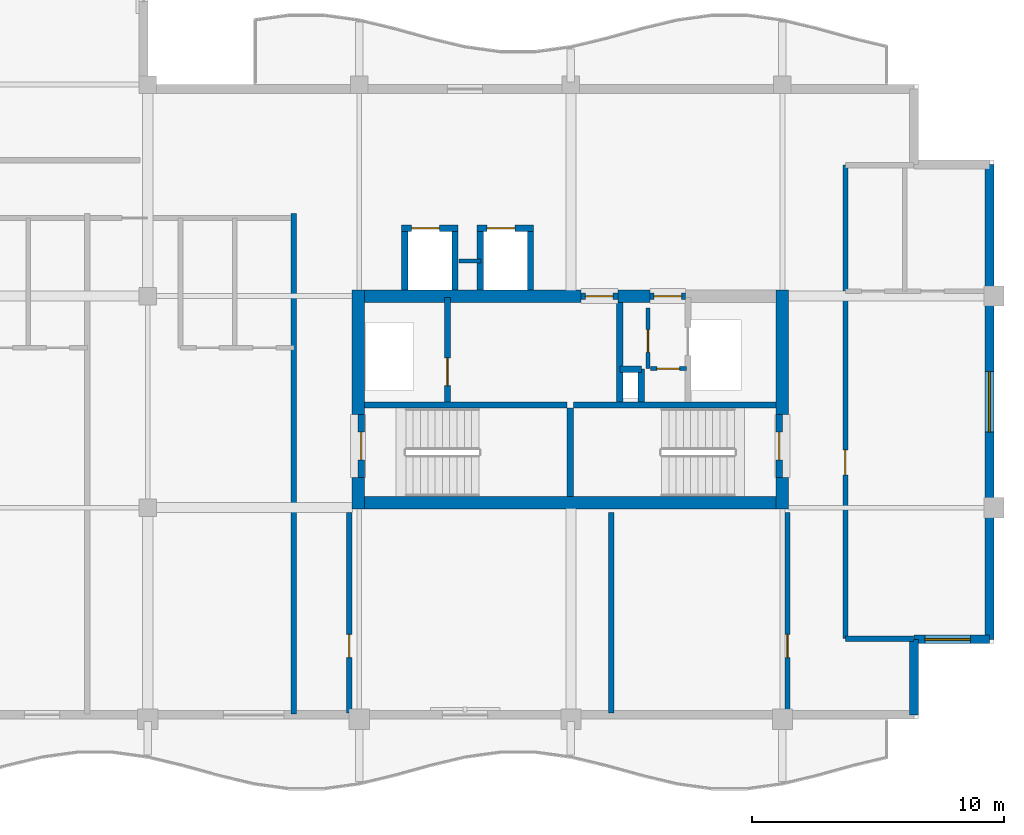
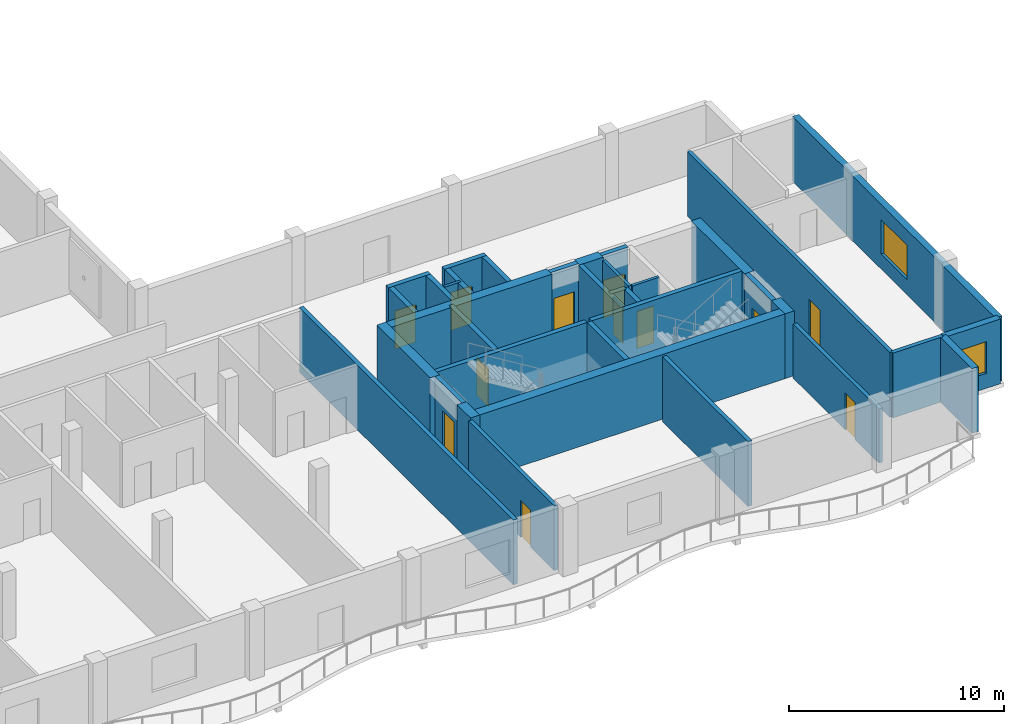
# One storey, part 4 of 11: 36 walls, 12 doors, 2 windows, 14 openings.
"""IFC4 building model written with IfcOpenShell, lengths in metres."""

from ifc_helpers import new_model, si_unit, direction, frame, frame_2d, origin, place, context, subcontext, project, spatial, rectangle, extrude, material, layer, layer_set, type_object, element, fill, save


model = new_model("IFC4")

# Units and contexts
model_context = context("Model", 3, precision=1e-05, world=origin(), true_north=direction((0.0, 1.0)))
body_context = subcontext(model_context, "Body", "Model", "MODEL_VIEW")
ifc_project = project(units=[si_unit("LENGTHUNIT", "METRE"), si_unit("AREAUNIT", "SQUARE_METRE"), si_unit("VOLUMEUNIT", "CUBIC_METRE"), si_unit("PLANEANGLEUNIT", "RADIAN"), si_unit("MASSUNIT", "GRAM", prefix="KILO")], contexts=[model_context])

# Site, building, storey
site_placement = place(None, origin())
site = spatial("IfcSite", under=ifc_project, at=site_placement, CompositionType="ELEMENT")
building_placement = place(site_placement, origin())
building = spatial("IfcBuilding", under=site, at=building_placement, Name="Koriwani Terraces Tower", CompositionType="ELEMENT")
storey_placement = place(building_placement, frame((0.0, 0.0, 320.300048828125)))
storey = spatial("IfcBuildingStorey", under=building, at=storey_placement, Name="L79", CompositionType="ELEMENT", Elevation=320.300048828125)

# Walls
ifc_material_1 = material(Name="Concrete C50/60", Category="concrete")
ifc_layer_1 = layer(ifc_material_1, 0.5, Name="Concrete C50/60")
ifc_layer_set_1 = layer_set([ifc_layer_1], Name="Concrete C50/60")
wall_type_1 = type_object("IfcWallType", Name="WALL_CORE_RC_500", PredefinedType="SHEAR", material=ifc_layer_set_1)
wall_1_placement = place(storey_placement, frame((41.949951171875, 16.75, 0.0), z_axis=(0.0, 0.0, 1.0), x_axis=(0.0, 1.0, 0.0)))
element("IfcWall", 1, at=wall_1_placement, inside=storey, type_object=wall_type_1, Name="L79 East Split Core Shear Wall W1", PredefinedType="SHEAR", context=body_context, shape_type="SweptSolid", body=[
    extrude(rectangle(XDim=1.25, YDim=0.5, at=frame_2d((0.625, 0.0))), origin(), (0.0, 0.0, 1.0), 3.669921875),
])
wall_2_placement = place(storey_placement, frame((41.949951171875, 20.5, 0.0), z_axis=(0.0, 0.0, 1.0), x_axis=(0.0, 1.0, 0.0)))
element("IfcWall", 2, at=wall_2_placement, inside=storey, type_object=wall_type_1, Name="L79 East Split Core Shear Wall W2", PredefinedType="SHEAR", context=body_context, shape_type="SweptSolid", body=[
    extrude(rectangle(XDim=4.949951171875, YDim=0.5, at=frame_2d((2.47509765625, 0.0))), origin(), (0.0, 0.0, 1.0), 3.669921875),
])
wall_3_placement = place(storey_placement, frame((58.800048828125, 16.75, 0.0), z_axis=(0.0, 0.0, 1.0), x_axis=(0.0, 1.0, 0.0)))
element("IfcWall", 3, at=wall_3_placement, inside=storey, type_object=wall_type_1, Name="L79 East Split Core Shear Wall E1", PredefinedType="SHEAR", context=body_context, shape_type="SweptSolid", body=[
    extrude(rectangle(XDim=1.25, YDim=0.5, at=frame_2d((0.625, 0.0))), origin(), (0.0, 0.0, 1.0), 3.669921875),
])
wall_4_placement = place(storey_placement, frame((58.800048828125, 20.5, 0.0), z_axis=(0.0, 0.0, 1.0), x_axis=(0.0, 1.0, 0.0)))
element("IfcWall", 4, at=wall_4_placement, inside=storey, type_object=wall_type_1, Name="L79 East Split Core Shear Wall E2", PredefinedType="SHEAR", context=body_context, shape_type="SweptSolid", body=[
    extrude(rectangle(XDim=4.949951171875, YDim=0.5, at=frame_2d((2.47509765625, 0.0))), origin(), (0.0, 0.0, 1.0), 3.669921875),
])
wall_5_placement = place(storey_placement, frame((42.199951171875, 17.0, 0.0), z_axis=(0.0, 0.0, 1.0), x_axis=(1.0, 0.0, 0.0)))
element("IfcWall", 5, at=wall_5_placement, inside=storey, type_object=wall_type_1, Name="L79 East Split Core Shear Wall S1", PredefinedType="SHEAR", context=body_context, shape_type="SweptSolid", body=[
    extrude(rectangle(XDim=16.35009765625, YDim=0.5, at=frame_2d((8.175048828125, 0.0))), origin(), (0.0, 0.0, 1.0), 3.669921875),
])
wall_6_placement = place(storey_placement, frame((42.199951171875, 25.199951171875, 0.0), z_axis=(0.0, 0.0, 1.0), x_axis=(1.0, 0.0, 0.0)))
element("IfcWall", 6, at=wall_6_placement, inside=storey, type_object=wall_type_1, Name="L79 East Split Core Shear Wall N1", PredefinedType="SHEAR", context=body_context, shape_type="SweptSolid", body=[
    extrude(rectangle(XDim=8.60009765625, YDim=0.5, at=frame_2d((4.300048828125, 0.0))), origin(), (0.0, 0.0, 1.0), 3.669921875),
])
wall_7_placement = place(storey_placement, frame((52.280029296875, 25.199951171875, 0.0), z_axis=(0.0, 0.0, 1.0), x_axis=(1.0, 0.0, 0.0)))
element("IfcWall", 7, at=wall_7_placement, inside=storey, type_object=wall_type_1, Name="L79 East Split Core Shear Wall N2", PredefinedType="SHEAR", context=body_context, shape_type="SweptSolid", body=[
    extrude(rectangle(XDim=1.27001953125, YDim=0.5, at=frame_2d((0.635009765625, 0.0))), origin(), (0.0, 0.0, 1.0), 3.669921875),
])

# Wall, opening, door
ifc_material_2 = material(Name="Autoclaved Cellular Concrete Blockwork", Category="masonry")
ifc_layer_2 = layer(ifc_material_2, 0.199951171875, Name="Autoclaved Cellular Concrete Blockwork")
ifc_layer_set_2 = layer_set([ifc_layer_2], Name="Autoclaved Cellular Concrete Blockwork")
wall_type_2 = type_object("IfcWallType", Name="WALL_CORRIDOR_200", PredefinedType="PARTITIONING", material=ifc_layer_set_2)
wall_8_placement = place(storey_placement, frame((41.60009765625, 8.64990234375, 0.0), z_axis=(0.0, 0.0, 1.0), x_axis=(0.0, 1.0, 0.0)))
wall_8 = element("IfcWall", 8, at=wall_8_placement, inside=storey, type_object=wall_type_2, Name="L79 Interior Wall WRZ4-EW-L79", PredefinedType="PARTITIONING", context=body_context, shape_type="SweptSolid", body=[
    extrude(rectangle(XDim=7.9501953125, YDim=0.199951171875, at=frame_2d((3.97509765625, 0.0))), origin(), (0.0, 0.0, 1.0), 3.669921875),
])
opening_1_placement = place(wall_8_placement, frame((2.199951171875, 0.0, 0.0)))
opening_1 = element("IfcOpeningElement", 9, at=opening_1_placement, cuts=wall_8, Name="Opening D-06", PredefinedType="OPENING", context=body_context, shape_type="SweptSolid", body=[
    extrude(rectangle(XDim=0.919921875, YDim=2.10009765625, at=frame_2d((0.4599609375, 1.050048828125))), frame((0.0, 0.10986328125, 0.0), z_axis=(0.0, -1.0, 0.0), x_axis=(1.0, 0.0, 0.0)), (0.0, 0.0, 1.0), 0.219970703125),
])
ifc_material_3 = material(Name="Architectural Oak Fire Door", Category="wood")
door_type_1 = type_object("IfcDoorType", Name="DOOR_ROOM_INT_920X2100", OperationType="NOTDEFINED", PredefinedType="DOOR", material=ifc_material_3)
door_1_placement = place(opening_1_placement, origin())
door_1 = element("IfcDoor", 10, at=door_1_placement, inside=storey, type_object=door_type_1, Name="L79 Resident Library Study Door", OperationType="SINGLE_SWING_RIGHT", OverallHeight=2.10009765625, OverallWidth=0.919921875, PredefinedType="DOOR", context=body_context, shape_type="SweptSolid", body=[
    extrude(rectangle(XDim=0.919921875, YDim=2.10009765625, at=frame_2d((0.4599609375, 1.050048828125))), frame((0.0, 0.02490234375, 0.0), z_axis=(0.0, -1.0, 0.0), x_axis=(1.0, 0.0, 0.0)), (0.0, 0.0, 1.0), 0.050048828125),
])
fill(opening_1, door_1)

wall_9_placement = place(storey_placement, frame((59.0, 8.64990234375, 0.0), z_axis=(0.0, 0.0, 1.0), x_axis=(0.0, 1.0, 0.0)))
wall_9 = element("IfcWall", 11, at=wall_9_placement, inside=storey, type_object=wall_type_2, Name="L79 Interior Wall WRZ4-EE-L79", PredefinedType="PARTITIONING", context=body_context, shape_type="SweptSolid", body=[
    extrude(rectangle(XDim=7.9501953125, YDim=0.199951171875, at=frame_2d((3.97509765625, 0.0))), origin(), (0.0, 0.0, 1.0), 3.070068359375),
])
opening_2_placement = place(wall_9_placement, frame((2.199951171875, 0.0, 0.0)))
opening_2 = element("IfcOpeningElement", 12, at=opening_2_placement, cuts=wall_9, Name="Opening D-06", PredefinedType="OPENING", context=body_context, shape_type="SweptSolid", body=[
    extrude(rectangle(XDim=0.919921875, YDim=2.10009765625, at=frame_2d((0.4599609375, 1.050048828125))), frame((0.0, 0.10986328125, 0.0), z_axis=(0.0, -1.0, 0.0), x_axis=(1.0, 0.0, 0.0)), (0.0, 0.0, 1.0), 0.219970703125),
])
door_2_placement = place(opening_2_placement, origin())
door_2 = element("IfcDoor", 13, at=door_2_placement, inside=storey, type_object=door_type_1, Name="L79 Resident Laundry Room Door", OperationType="SINGLE_SWING_LEFT", OverallHeight=2.10009765625, OverallWidth=0.919921875, PredefinedType="DOOR", context=body_context, shape_type="SweptSolid", body=[
    extrude(rectangle(XDim=0.919921875, YDim=2.10009765625, at=frame_2d((0.4599609375, 1.050048828125))), frame((0.0, 0.02490234375, 0.0), z_axis=(0.0, -1.0, 0.0), x_axis=(1.0, 0.0, 0.0)), (0.0, 0.0, 1.0), 0.050048828125),
])
fill(opening_2, door_2)

wall_10_placement = place(storey_placement, frame((61.300048828125, 11.60009765625, 0.0), z_axis=(0.0, 0.0, 1.0), x_axis=(0.0, 1.0, 0.0)))
wall_10 = element("IfcWall", 14, at=wall_10_placement, inside=storey, type_object=wall_type_2, Name="L79 Interior Wall WET-W-L79", PredefinedType="PARTITIONING", context=body_context, shape_type="SweptSolid", body=[
    extrude(rectangle(XDim=18.7998046875, YDim=0.199951171875, at=frame_2d((9.39990234375, 0.0))), origin(), (0.0, 0.0, 1.0), 3.669921875),
])
opening_3_placement = place(wall_10_placement, frame((6.5, 0.0, 0.0)))
opening_3 = element("IfcOpeningElement", 15, at=opening_3_placement, cuts=wall_10, Name="Opening D-05", PredefinedType="OPENING", context=body_context, shape_type="SweptSolid", body=[
    extrude(rectangle(XDim=1.0, YDim=2.14990234375, at=frame_2d((0.5, 1.074951171875))), frame((0.0, 0.10986328125, 0.0), z_axis=(0.0, -1.0, 0.0), x_axis=(1.0, 0.0, 0.0)), (0.0, 0.0, 1.0), 0.219970703125),
])
door_type_2 = type_object("IfcDoorType", Name="DOOR_SUITE_ENTRY_1000X2150", OperationType="NOTDEFINED", PredefinedType="DOOR", material=ifc_material_3)
door_3_placement = place(opening_3_placement, origin())
door_3 = element("IfcDoor", 16, at=door_3_placement, inside=storey, type_object=door_type_2, Name="Apartment 79ET Entrance Door", OperationType="SINGLE_SWING_RIGHT", OverallHeight=2.14990234375, OverallWidth=1.0, PredefinedType="DOOR", context=body_context, shape_type="SweptSolid", body=[
    extrude(rectangle(XDim=1.0, YDim=2.14990234375, at=frame_2d((0.5, 1.074951171875))), frame((0.0, 0.02490234375, 0.0), z_axis=(0.0, -1.0, 0.0), x_axis=(1.0, 0.0, 0.0)), (0.0, 0.0, 1.0), 0.050048828125),
])
fill(opening_3, door_3)

# Walls
ifc_layer_3 = layer(ifc_material_2, 0.219970703125, Name="Autoclaved Cellular Concrete Blockwork")
ifc_layer_set_3 = layer_set([ifc_layer_3], Name="Autoclaved Cellular Concrete Blockwork")
wall_type_3 = type_object("IfcWallType", Name="WALL_DEMISING_220", PredefinedType="PARTITIONING", material=ifc_layer_set_3)
wall_11_placement = place(storey_placement, frame((52.0, 8.64990234375, 0.0), z_axis=(0.0, 0.0, 1.0), x_axis=(0.0, 1.0, 0.0)))
element("IfcWall", 17, at=wall_11_placement, inside=storey, type_object=wall_type_3, Name="L79 Interior Wall WRZ4-EM-L79", PredefinedType="PARTITIONING", context=body_context, shape_type="SweptSolid", body=[
    extrude(rectangle(XDim=7.9501953125, YDim=0.219970703125, at=frame_2d((3.97509765625, 0.0))), origin(), (0.0, 0.0, 1.0), 3.669921875),
])
wall_12_placement = place(storey_placement, frame((39.39990234375, 8.60009765625, 0.0), z_axis=(0.0, 0.0, 1.0), x_axis=(0.0, 1.0, 0.0)))
element("IfcWall", 18, at=wall_12_placement, inside=storey, type_object=wall_type_3, Name="L79 Interior Wall WRDEME-L79-SW", PredefinedType="PARTITIONING", context=body_context, shape_type="SweptSolid", body=[
    extrude(rectangle(XDim=19.8798828125, YDim=0.219970703125, at=frame_2d((9.93994140625, 0.0))), origin(), (0.0, 0.0, 1.0), 3.669921875),
])
wall_13_placement = place(storey_placement, frame((61.300048828125, 11.60009765625, 0.0), z_axis=(0.0, 0.0, 1.0), x_axis=(1.0, 0.0, 0.0)))
element("IfcWall", 19, at=wall_13_placement, inside=storey, type_object=wall_type_3, Name="L79 Interior Wall WET-S-L79", PredefinedType="PARTITIONING", context=body_context, shape_type="SweptSolid", body=[
    extrude(rectangle(XDim=2.699951171875, YDim=0.219970703125, at=frame_2d((1.35009765625, 0.0))), origin(), (0.0, 0.0, 1.0), 3.669921875),
])

# Wall, opening, window
ifc_layer_4 = layer(ifc_material_1, 0.35009765625, Name="Concrete C50/60")
ifc_layer_set_4 = layer_set([ifc_layer_4], Name="Concrete C50/60")
wall_type_4 = type_object("IfcWallType", Name="WALL_EXT_BRUTALIST_350", PredefinedType="STANDARD", material=ifc_layer_set_4)
wall_14_placement = place(storey_placement, frame((67.02490234375, 30.425048828125, 0.0), z_axis=(0.0, 0.0, 1.0), x_axis=(0.0, -1.0, 0.0)))
wall_14 = element("IfcWall", 20, at=wall_14_placement, inside=storey, type_object=wall_type_4, Name="L79 Fair-Faced Brutalist Exterior Wall (E_TIP)", PredefinedType="STANDARD", context=body_context, shape_type="SweptSolid", body=[
    extrude(rectangle(XDim=18.85009765625, YDim=0.35009765625, at=frame_2d((9.425048828125, 0.0))), origin(), (0.0, 0.0, 1.0), 3.669921875),
])
opening_4_placement = place(wall_14_placement, frame((8.22509765625, 0.0, 0.85009765625)))
opening_4 = element("IfcOpeningElement", 21, at=opening_4_placement, cuts=wall_14, Name="Opening W-03", PredefinedType="OPENING", context=body_context, shape_type="SweptSolid", body=[
    extrude(rectangle(XDim=2.39990234375, YDim=1.949951171875, at=frame_2d((1.199951171875, 0.97509765625))), frame((0.0, 0.18505859375, 0.0), z_axis=(0.0, -1.0, 0.0), x_axis=(1.0, 0.0, 0.0)), (0.0, 0.0, 1.0), 0.3701171875),
])
ifc_material_4 = material(Name="Tempered Laminated Low-E Glass", Category="glass")
window_type_1 = type_object("IfcWindowType", Name="WIN_RES_LIVING_2400X1950", PartitioningType="DOUBLE_PANEL_VERTICAL", PredefinedType="WINDOW", material=ifc_material_4)
window_1_placement = place(opening_4_placement, origin())
window_1 = element("IfcWindow", 22, at=window_1_placement, inside=storey, type_object=window_type_1, Name="L79 Exterior Window (E_TIP-3)", OverallHeight=1.949951171875, OverallWidth=2.39990234375, PartitioningType="SINGLE_PANEL", PredefinedType="WINDOW", context=body_context, shape_type="SweptSolid", body=[
    extrude(rectangle(XDim=2.39990234375, YDim=1.949951171875, at=frame_2d((1.199951171875, 0.97509765625))), frame((0.0, 0.030029296875, 0.0), z_axis=(0.0, -1.0, 0.0), x_axis=(1.0, 0.0, 0.0)), (0.0, 0.0, 1.0), 0.06005859375),
])
fill(opening_4, window_1)

wall_15_placement = place(storey_placement, frame((67.02490234375, 11.574951171875, 0.0), z_axis=(0.0, 0.0, 1.0), x_axis=(-1.0, 0.0, 0.0)))
wall_15 = element("IfcWall", 23, at=wall_15_placement, inside=storey, type_object=wall_type_4, Name="L79 Fair-Faced Brutalist Exterior Wall (N13)", PredefinedType="STANDARD", context=body_context, shape_type="SweptSolid", body=[
    extrude(rectangle(XDim=3.0, YDim=0.35009765625, at=frame_2d((1.5, 0.0))), origin(), (0.0, 0.0, 1.0), 3.669921875),
])
opening_5_placement = place(wall_15_placement, frame((0.762451171875, 0.0, 0.85009765625)))
opening_5 = element("IfcOpeningElement", 24, at=opening_5_placement, cuts=wall_15, Name="Opening W-04", PredefinedType="OPENING", context=body_context, shape_type="SweptSolid", body=[
    extrude(rectangle(XDim=1.800048828125, YDim=1.800048828125, at=frame_2d((0.89990234375, 0.89990234375))), frame((0.0, 0.18505859375, 0.0), z_axis=(0.0, -1.0, 0.0), x_axis=(1.0, 0.0, 0.0)), (0.0, 0.0, 1.0), 0.3701171875),
])
window_type_2 = type_object("IfcWindowType", Name="WIN_RES_BED_1800X1800", PartitioningType="DOUBLE_PANEL_VERTICAL", PredefinedType="WINDOW", material=ifc_material_4)
window_2_placement = place(opening_5_placement, origin())
window_2 = element("IfcWindow", 25, at=window_2_placement, inside=storey, type_object=window_type_2, Name="L79 Exterior Window (N13-R52)", OverallHeight=1.800048828125, OverallWidth=1.800048828125, PartitioningType="SINGLE_PANEL", PredefinedType="WINDOW", context=body_context, shape_type="SweptSolid", body=[
    extrude(rectangle(XDim=1.800048828125, YDim=1.800048828125, at=frame_2d((0.89990234375, 0.89990234375))), frame((0.0, 0.030029296875, 0.0), z_axis=(0.0, -1.0, 0.0), x_axis=(1.0, 0.0, 0.0)), (0.0, 0.0, 1.0), 0.06005859375),
])
fill(opening_5, window_2)

# Walls
wall_16_placement = place(storey_placement, frame((64.02490234375, 11.574951171875, 0.0), z_axis=(0.0, 0.0, 1.0), x_axis=(0.0, -1.0, 0.0)))
element("IfcWall", 26, at=wall_16_placement, inside=storey, type_object=wall_type_4, Name="L79 Fair-Faced Brutalist Exterior Wall (N14)", PredefinedType="STANDARD", context=body_context, shape_type="SweptSolid", body=[
    extrude(rectangle(XDim=3.0, YDim=0.35009765625, at=frame_2d((1.5, 0.0))), origin(), (0.0, 0.0, 1.0), 3.669921875),
])
ifc_material_5 = material(Name="Concrete C40/50", Category="concrete")
ifc_layer_5 = layer(ifc_material_5, 0.25, Name="Concrete C40/50")
ifc_layer_set_5 = layer_set([ifc_layer_5], Name="Concrete C40/50")
wall_type_5 = type_object("IfcWallType", Name="WALL_SHAFT_RATED_250", PredefinedType="SOLIDWALL", material=ifc_layer_set_5)
for number, where, z_axis, x_axis, name in (
    (27, (42.199951171875, 20.875, 0.0), (0.0, 0.0, 1.0), (1.0, 0.0, 0.0), "L79 East Split Core Web Wall MID1"),
    (28, (50.5, 20.875, 0.0), (0.0, 0.0, 1.0), (1.0, 0.0, 0.0), "L79 East Split Core Web Wall MID2"),
):
    element("IfcWall", number, at=place(storey_placement, frame(where, z_axis=z_axis, x_axis=x_axis)), inside=storey, type_object=wall_type_5, Name=name, PredefinedType="SOLIDWALL", context=body_context, shape_type="SweptSolid", body=[
        extrude(rectangle(XDim=8.050048828125, YDim=0.25, at=frame_2d((4.02490234375, 0.0))), origin(), (0.0, 0.0, 1.0), 3.669921875),
    ])
wall_17_placement = place(storey_placement, frame((50.375, 17.25, 0.0), z_axis=(0.0, 0.0, 1.0), x_axis=(0.0, 1.0, 0.0)))
element("IfcWall", 29, at=wall_17_placement, inside=storey, type_object=wall_type_5, Name="L79 East Split Core Stair Dividing Wall", PredefinedType="SOLIDWALL", context=body_context, shape_type="SweptSolid", body=[
    extrude(rectangle(XDim=3.5, YDim=0.25, at=frame_2d((1.75, 0.0))), origin(), (0.0, 0.0, 1.0), 3.669921875),
])

# Wall, opening, door
wall_18_placement = place(storey_placement, frame((42.074951171875, 18.0, 0.0), z_axis=(0.0, 0.0, 1.0), x_axis=(0.0, 1.0, 0.0)))
wall_18 = element("IfcWall", 30, at=wall_18_placement, inside=storey, type_object=wall_type_5, Name="L79 Interior Wall WIN-CE-L79-STW", PredefinedType="SOLIDWALL", context=body_context, shape_type="SweptSolid", body=[
    extrude(rectangle(XDim=2.5, YDim=0.25, at=frame_2d((1.25, 0.0))), origin(), (0.0, 0.0, 1.0), 3.669921875),
])
opening_6_placement = place(wall_18_placement, frame((0.699951171875, 0.0, 0.0)))
opening_6 = element("IfcOpeningElement", 31, at=opening_6_placement, cuts=wall_18, Name="Opening D-03", PredefinedType="OPENING", context=body_context, shape_type="SweptSolid", body=[
    extrude(rectangle(XDim=1.10009765625, YDim=2.14990234375, at=frame_2d((0.550048828125, 1.074951171875))), frame((0.0, 0.135009765625, 0.0), z_axis=(0.0, -1.0, 0.0), x_axis=(1.0, 0.0, 0.0)), (0.0, 0.0, 1.0), 0.27001953125),
])
ifc_material_6 = material(Name="Steel ASTM A572 Grade 50", Category="steel")
door_type_3 = type_object("IfcDoorType", Name="DOOR_STAIR_FIRE_1100X2150", OperationType="NOTDEFINED", PredefinedType="DOOR", material=ifc_material_6)
door_4_placement = place(opening_6_placement, origin())
door_4 = element("IfcDoor", 32, at=door_4_placement, inside=storey, type_object=door_type_3, Name="L79 Exit Stair ST-E1 Door", OperationType="SINGLE_SWING_LEFT", OverallHeight=2.14990234375, OverallWidth=1.10009765625, PredefinedType="DOOR", context=body_context, shape_type="SweptSolid", body=[
    extrude(rectangle(XDim=1.10009765625, YDim=2.14990234375, at=frame_2d((0.550048828125, 1.074951171875))), frame((0.0, 0.02490234375, 0.0), z_axis=(0.0, -1.0, 0.0), x_axis=(1.0, 0.0, 0.0)), (0.0, 0.0, 1.0), 0.050048828125),
])
fill(opening_6, door_4)

wall_19_placement = place(storey_placement, frame((58.675048828125, 18.0, 0.0), z_axis=(0.0, 0.0, 1.0), x_axis=(0.0, 1.0, 0.0)))
wall_19 = element("IfcWall", 33, at=wall_19_placement, inside=storey, type_object=wall_type_5, Name="L79 Interior Wall WIN-CE-L79-STE", PredefinedType="SOLIDWALL", context=body_context, shape_type="SweptSolid", body=[
    extrude(rectangle(XDim=2.5, YDim=0.25, at=frame_2d((1.25, 0.0))), origin(), (0.0, 0.0, 1.0), 3.669921875),
])
opening_7_placement = place(wall_19_placement, frame((0.699951171875, 0.0, 0.0)))
opening_7 = element("IfcOpeningElement", 34, at=opening_7_placement, cuts=wall_19, Name="Opening D-03", PredefinedType="OPENING", context=body_context, shape_type="SweptSolid", body=[
    extrude(rectangle(XDim=1.10009765625, YDim=2.14990234375, at=frame_2d((0.550048828125, 1.074951171875))), frame((0.0, 0.135009765625, 0.0), z_axis=(0.0, -1.0, 0.0), x_axis=(1.0, 0.0, 0.0)), (0.0, 0.0, 1.0), 0.27001953125),
])
door_5_placement = place(opening_7_placement, origin())
door_5 = element("IfcDoor", 35, at=door_5_placement, inside=storey, type_object=door_type_3, Name="L79 Exit Stair ST-E2 Door", OperationType="SINGLE_SWING_RIGHT", OverallHeight=2.14990234375, OverallWidth=1.10009765625, PredefinedType="DOOR", context=body_context, shape_type="SweptSolid", body=[
    extrude(rectangle(XDim=1.10009765625, YDim=2.14990234375, at=frame_2d((0.550048828125, 1.074951171875))), frame((0.0, 0.02490234375, 0.0), z_axis=(0.0, -1.0, 0.0), x_axis=(1.0, 0.0, 0.0)), (0.0, 0.0, 1.0), 0.050048828125),
])
fill(opening_7, door_5)

wall_20_placement = place(storey_placement, frame((45.5, 21.0, 0.0), z_axis=(0.0, 0.0, 1.0), x_axis=(0.0, 1.0, 0.0)))
wall_20 = element("IfcWall", 36, at=wall_20_placement, inside=storey, type_object=wall_type_5, Name="L79 Interior Wall WIN-CE-L79-FE", PredefinedType="SOLIDWALL", context=body_context, shape_type="SweptSolid", body=[
    extrude(rectangle(XDim=4.14990234375, YDim=0.25, at=frame_2d((2.074951171875, 0.0))), origin(), (0.0, 0.0, 1.0), 3.669921875),
])
opening_8_placement = place(wall_20_placement, frame((0.64990234375, 0.0, 0.0)))
opening_8 = element("IfcOpeningElement", 37, at=opening_8_placement, cuts=wall_20, Name="Opening LD-01", PredefinedType="OPENING", context=body_context, shape_type="SweptSolid", body=[
    extrude(rectangle(XDim=1.10009765625, YDim=2.14990234375, at=frame_2d((0.550048828125, 1.074951171875))), frame((0.0, 0.135009765625, 0.0), z_axis=(0.0, -1.0, 0.0), x_axis=(1.0, 0.0, 0.0)), (0.0, 0.0, 1.0), 0.27001953125),
])
door_type_4 = type_object("IfcDoorType", Name="DOOR_LIFT_LANDING_1100X2200", OperationType="NOTDEFINED", PredefinedType="DOOR", material=ifc_material_6)
door_6_placement = place(opening_8_placement, origin())
door_6 = element("IfcDoor", 38, at=door_6_placement, inside=storey, type_object=door_type_4, Name="L79 Firefighting Lift FE-02 Landing Door", OperationType="SLIDING_TO_LEFT", OverallHeight=2.14990234375, OverallWidth=1.10009765625, PredefinedType="DOOR", context=body_context, shape_type="SweptSolid", body=[
    extrude(rectangle(XDim=1.10009765625, YDim=2.14990234375, at=frame_2d((0.550048828125, 1.074951171875))), frame((0.0, 0.02490234375, 0.0), z_axis=(0.0, -1.0, 0.0), x_axis=(1.0, 0.0, 0.0)), (0.0, 0.0, 1.0), 0.050048828125),
])
fill(opening_8, door_6)

wall_21_placement = place(storey_placement, frame((50.800048828125, 25.199951171875, 0.0), z_axis=(0.0, 0.0, 1.0), x_axis=(1.0, 0.0, 0.0)))
wall_21 = element("IfcWall", 39, at=wall_21_placement, inside=storey, type_object=wall_type_5, Name="L79 Interior Wall WIN-CE-L79-NP", PredefinedType="SOLIDWALL", context=body_context, shape_type="SweptSolid", body=[
    extrude(rectangle(XDim=1.47998046875, YDim=0.25, at=frame_2d((0.739990234375, 0.0))), origin(), (0.0, 0.0, 1.0), 3.669921875),
])
opening_9_placement = place(wall_21_placement, frame((0.179931640625, 0.0, 0.0)))
opening_9 = element("IfcOpeningElement", 40, at=opening_9_placement, cuts=wall_21, Name="Opening D-03", PredefinedType="OPENING", context=body_context, shape_type="SweptSolid", body=[
    extrude(rectangle(XDim=1.10009765625, YDim=2.14990234375, at=frame_2d((0.550048828125, 1.074951171875))), frame((0.0, 0.135009765625, 0.0), z_axis=(0.0, -1.0, 0.0), x_axis=(1.0, 0.0, 0.0)), (0.0, 0.0, 1.0), 0.27001953125),
])
door_7_placement = place(opening_9_placement, origin())
door_7 = element("IfcDoor", 41, at=door_7_placement, inside=storey, type_object=door_type_3, Name="L79 East Firefighting Lobby Door", OperationType="SINGLE_SWING_LEFT", OverallHeight=2.14990234375, OverallWidth=1.10009765625, PredefinedType="DOOR", context=body_context, shape_type="SweptSolid", body=[
    extrude(rectangle(XDim=1.10009765625, YDim=2.14990234375, at=frame_2d((0.550048828125, 1.074951171875))), frame((0.0, 0.02490234375, 0.0), z_axis=(0.0, -1.0, 0.0), x_axis=(1.0, 0.0, 0.0)), (0.0, 0.0, 1.0), 0.050048828125),
])
fill(opening_9, door_7)

# Wall
wall_22_placement = place(storey_placement, frame((52.340087890625, 21.0, 0.0), z_axis=(0.0, 0.0, 1.0), x_axis=(0.0, 1.0, 0.0)))
element("IfcWall", 42, at=wall_22_placement, inside=storey, type_object=wall_type_5, Name="L79 Interior Wall WIN-CE-L79-FFE", PredefinedType="SOLIDWALL", context=body_context, shape_type="SweptSolid", body=[
    extrude(rectangle(XDim=3.949951171875, YDim=0.25, at=frame_2d((1.97509765625, 0.0))), origin(), (0.0, 0.0, 1.0), 3.669921875),
])

# Wall, opening, door
wall_23_placement = place(storey_placement, frame((53.550048828125, 25.199951171875, 0.0), z_axis=(0.0, 0.0, 1.0), x_axis=(1.0, 0.0, 0.0)))
wall_23 = element("IfcWall", 43, at=wall_23_placement, inside=storey, type_object=wall_type_5, Name="L79 Interior Wall WIN-CE-L79-NP2", PredefinedType="SOLIDWALL", context=body_context, shape_type="SweptSolid", body=[
    extrude(rectangle(XDim=1.39990234375, YDim=0.25, at=frame_2d((0.699951171875, 0.0))), origin(), (0.0, 0.0, 1.0), 3.669921875),
])
opening_10_placement = place(wall_23_placement, frame((0.14990234375, 0.0, 0.0)))
opening_10 = element("IfcOpeningElement", 44, at=opening_10_placement, cuts=wall_23, Name="Opening D-03", PredefinedType="OPENING", context=body_context, shape_type="SweptSolid", body=[
    extrude(rectangle(XDim=1.10009765625, YDim=2.14990234375, at=frame_2d((0.550048828125, 1.074951171875))), frame((0.0, 0.135009765625, 0.0), z_axis=(0.0, -1.0, 0.0), x_axis=(1.0, 0.0, 0.0)), (0.0, 0.0, 1.0), 0.27001953125),
])
door_8_placement = place(opening_10_placement, origin())
door_8 = element("IfcDoor", 45, at=door_8_placement, inside=storey, type_object=door_type_3, Name="L79 East Goods Lift Lobby Door", OperationType="SINGLE_SWING_RIGHT", OverallHeight=2.14990234375, OverallWidth=1.10009765625, PredefinedType="DOOR", context=body_context, shape_type="SweptSolid", body=[
    extrude(rectangle(XDim=1.10009765625, YDim=2.14990234375, at=frame_2d((0.550048828125, 1.074951171875))), frame((0.0, 0.02490234375, 0.0), z_axis=(0.0, -1.0, 0.0), x_axis=(1.0, 0.0, 0.0)), (0.0, 0.0, 1.0), 0.050048828125),
])
fill(opening_10, door_8)

# Walls
wall_24_placement = place(storey_placement, frame((53.199951171875, 21.0, 0.0), z_axis=(0.0, 0.0, 1.0), x_axis=(0.0, 1.0, 0.0)))
element("IfcWall", 46, at=wall_24_placement, inside=storey, type_object=wall_type_5, Name="L79 Interior Wall WIN-CE-L79-RS1", PredefinedType="SOLIDWALL", context=body_context, shape_type="SweptSolid", body=[
    extrude(rectangle(XDim=1.300048828125, YDim=0.25, at=frame_2d((0.64990234375, 0.0))), origin(), (0.0, 0.0, 1.0), 3.669921875),
])
wall_25_placement = place(storey_placement, frame((52.360107421875, 22.300048828125, 0.0), z_axis=(0.0, 0.0, 1.0), x_axis=(1.0, 0.0, 0.0)))
element("IfcWall", 47, at=wall_25_placement, inside=storey, type_object=wall_type_5, Name="L79 Interior Wall WIN-CE-L79-RS2", PredefinedType="SOLIDWALL", context=body_context, shape_type="SweptSolid", body=[
    extrude(rectangle(XDim=0.83984375, YDim=0.25, at=frame_2d((0.419921875, 0.0))), origin(), (0.0, 0.0, 1.0), 3.669921875),
])

# Wall, opening, door
wall_26_placement = place(storey_placement, frame((43.675048828125, 27.89990234375, 0.0), z_axis=(0.0, 0.0, 1.0), x_axis=(1.0, 0.0, 0.0)))
wall_26 = element("IfcWall", 48, at=wall_26_placement, inside=storey, type_object=wall_type_5, Name="L79 Interior Wall WIN-LF-PE-H3-L79-F", PredefinedType="SOLIDWALL", context=body_context, shape_type="SweptSolid", body=[
    extrude(rectangle(XDim=2.25, YDim=0.25, at=frame_2d((1.125, 0.0))), origin(), (0.0, 0.0, 1.0), 3.669921875),
])
opening_11_placement = place(wall_26_placement, frame((0.39990234375, 0.0, 0.0)))
opening_11 = element("IfcOpeningElement", 49, at=opening_11_placement, cuts=wall_26, Name="Opening LD-01", PredefinedType="OPENING", context=body_context, shape_type="SweptSolid", body=[
    extrude(rectangle(XDim=1.10009765625, YDim=2.14990234375, at=frame_2d((0.550048828125, 1.074951171875))), frame((0.0, 0.135009765625, 0.0), z_axis=(0.0, -1.0, 0.0), x_axis=(1.0, 0.0, 0.0)), (0.0, 0.0, 1.0), 0.27001953125),
])
door_9_placement = place(opening_11_placement, origin())
door_9 = element("IfcDoor", 50, at=door_9_placement, inside=storey, type_object=door_type_4, Name="L79 Passenger Lift PE-H3 Landing Door", OperationType="SLIDING_TO_LEFT", OverallHeight=2.14990234375, OverallWidth=1.10009765625, PredefinedType="DOOR", context=body_context, shape_type="SweptSolid", body=[
    extrude(rectangle(XDim=1.10009765625, YDim=2.14990234375, at=frame_2d((0.550048828125, 1.074951171875))), frame((0.0, 0.02490234375, 0.0), z_axis=(0.0, -1.0, 0.0), x_axis=(1.0, 0.0, 0.0)), (0.0, 0.0, 1.0), 0.050048828125),
])
fill(opening_11, door_9)

# Walls
for number, where, z_axis, x_axis, name in (
    (51, (43.800048828125, 25.449951171875, 0.0), (0.0, 0.0, 1.0), (0.0, 1.0, 0.0), "L79 Interior Wall WIN-LF-PE-H3-L79-W"),
    (52, (45.800048828125, 25.449951171875, 0.0), (0.0, 0.0, 1.0), (0.0, 1.0, 0.0), "L79 Interior Wall WIN-LF-PE-H3-L79-E"),
):
    element("IfcWall", number, at=place(storey_placement, frame(where, z_axis=z_axis, x_axis=x_axis)), inside=storey, type_object=wall_type_5, Name=name, PredefinedType="SOLIDWALL", context=body_context, shape_type="SweptSolid", body=[
        extrude(rectangle(XDim=2.324951171875, YDim=0.25, at=frame_2d((1.16259765625, 0.0))), origin(), (0.0, 0.0, 1.0), 3.669921875),
    ])

# Wall, opening, door
wall_27_placement = place(storey_placement, frame((46.675048828125, 27.89990234375, 0.0), z_axis=(0.0, 0.0, 1.0), x_axis=(1.0, 0.0, 0.0)))
wall_27 = element("IfcWall", 53, at=wall_27_placement, inside=storey, type_object=wall_type_5, Name="L79 Interior Wall WIN-LF-PE-H4-L79-F", PredefinedType="SOLIDWALL", context=body_context, shape_type="SweptSolid", body=[
    extrude(rectangle(XDim=2.25, YDim=0.25, at=frame_2d((1.125, 0.0))), origin(), (0.0, 0.0, 1.0), 3.669921875),
])
opening_12_placement = place(wall_27_placement, frame((0.39990234375, 0.0, 0.0)))
opening_12 = element("IfcOpeningElement", 54, at=opening_12_placement, cuts=wall_27, Name="Opening LD-01", PredefinedType="OPENING", context=body_context, shape_type="SweptSolid", body=[
    extrude(rectangle(XDim=1.10009765625, YDim=2.14990234375, at=frame_2d((0.550048828125, 1.074951171875))), frame((0.0, 0.135009765625, 0.0), z_axis=(0.0, -1.0, 0.0), x_axis=(1.0, 0.0, 0.0)), (0.0, 0.0, 1.0), 0.27001953125),
])
door_10_placement = place(opening_12_placement, origin())
door_10 = element("IfcDoor", 55, at=door_10_placement, inside=storey, type_object=door_type_4, Name="L79 Passenger Lift PE-H4 Landing Door", OperationType="SLIDING_TO_LEFT", OverallHeight=2.14990234375, OverallWidth=1.10009765625, PredefinedType="DOOR", context=body_context, shape_type="SweptSolid", body=[
    extrude(rectangle(XDim=1.10009765625, YDim=2.14990234375, at=frame_2d((0.550048828125, 1.074951171875))), frame((0.0, 0.02490234375, 0.0), z_axis=(0.0, -1.0, 0.0), x_axis=(1.0, 0.0, 0.0)), (0.0, 0.0, 1.0), 0.050048828125),
])
fill(opening_12, door_10)

# Walls
for number, where, z_axis, x_axis, name in (
    (56, (46.800048828125, 25.449951171875, 0.0), (0.0, 0.0, 1.0), (0.0, 1.0, 0.0), "L79 Interior Wall WIN-LF-PE-H4-L79-W"),
    (57, (48.800048828125, 25.449951171875, 0.0), (0.0, 0.0, 1.0), (0.0, 1.0, 0.0), "L79 Interior Wall WIN-LF-PE-H4-L79-E"),
):
    element("IfcWall", number, at=place(storey_placement, frame(where, z_axis=z_axis, x_axis=x_axis)), inside=storey, type_object=wall_type_5, Name=name, PredefinedType="SOLIDWALL", context=body_context, shape_type="SweptSolid", body=[
        extrude(rectangle(XDim=2.324951171875, YDim=0.25, at=frame_2d((1.16259765625, 0.0))), origin(), (0.0, 0.0, 1.0), 3.669921875),
    ])

# Wall, opening, door
ifc_material_7 = material(Name="Fire-Rated Acoustic Gypsum Partition", Category="masonry")
ifc_layer_6 = layer(ifc_material_7, 0.159912109375, Name="Fire-Rated Acoustic Gypsum Partition")
ifc_layer_set_6 = layer_set([ifc_layer_6], Name="Fire-Rated Acoustic Gypsum Partition")
wall_type_6 = type_object("IfcWallType", Name="WALL_SUITE_160", PredefinedType="PARTITIONING", material=ifc_layer_set_6)
wall_28_placement = place(storey_placement, frame((53.56005859375, 22.320068359375, 0.0), z_axis=(0.0, 0.0, 1.0), x_axis=(1.0, 0.0, 0.0)))
wall_28 = element("IfcWall", 58, at=wall_28_placement, inside=storey, type_object=wall_type_6, Name="L79 Interior Wall WIN-CE-L79-SV1A", PredefinedType="PARTITIONING", context=body_context, shape_type="SweptSolid", body=[
    extrude(rectangle(XDim=1.43994140625, YDim=0.159912109375, at=frame_2d((0.719970703125, 0.0))), origin(), (0.0, 0.0, 1.0), 3.669921875),
])
opening_13_placement = place(wall_28_placement, frame((0.260009765625, 0.0, 0.0)))
opening_13 = element("IfcOpeningElement", 59, at=opening_13_placement, cuts=wall_28, Name="Opening D-07", PredefinedType="OPENING", context=body_context, shape_type="SweptSolid", body=[
    extrude(rectangle(XDim=0.89990234375, YDim=2.10009765625, at=frame_2d((0.449951171875, 1.050048828125))), frame((0.0, 0.08984375, 0.0), z_axis=(0.0, -1.0, 0.0), x_axis=(1.0, 0.0, 0.0)), (0.0, 0.0, 1.0), 0.179931640625),
])
door_type_5 = type_object("IfcDoorType", Name="DOOR_BATH_INT_900X2100", OperationType="NOTDEFINED", PredefinedType="DOOR", material=ifc_material_3)
door_11_placement = place(opening_13_placement, origin())
door_11 = element("IfcDoor", 60, at=door_11_placement, inside=storey, type_object=door_type_5, Name="L79 East Telecom Room Door", OperationType="SINGLE_SWING_LEFT", OverallHeight=2.10009765625, OverallWidth=0.89990234375, PredefinedType="DOOR", context=body_context, shape_type="SweptSolid", body=[
    extrude(rectangle(XDim=0.89990234375, YDim=2.10009765625, at=frame_2d((0.449951171875, 1.050048828125))), frame((0.0, 0.02490234375, 0.0), z_axis=(0.0, -1.0, 0.0), x_axis=(1.0, 0.0, 0.0)), (0.0, 0.0, 1.0), 0.050048828125),
])
fill(opening_13, door_11)

wall_29_placement = place(storey_placement, frame((53.4599609375, 22.320068359375, 0.0), z_axis=(0.0, 0.0, 1.0), x_axis=(0.0, 1.0, 0.0)))
wall_29 = element("IfcWall", 61, at=wall_29_placement, inside=storey, type_object=wall_type_6, Name="L79 Interior Wall WIN-CE-L79-SV1B", PredefinedType="PARTITIONING", context=body_context, shape_type="SweptSolid", body=[
    extrude(rectangle(XDim=2.39990234375, YDim=0.159912109375, at=frame_2d((1.199951171875, 0.0))), origin(), (0.0, 0.0, 1.0), 3.669921875),
])
opening_14_placement = place(wall_29_placement, frame((0.64990234375, 0.0, 0.0)))
opening_14 = element("IfcOpeningElement", 62, at=opening_14_placement, cuts=wall_29, Name="Opening D-07", PredefinedType="OPENING", context=body_context, shape_type="SweptSolid", body=[
    extrude(rectangle(XDim=0.89990234375, YDim=2.10009765625, at=frame_2d((0.449951171875, 1.050048828125))), frame((0.0, 0.08984375, 0.0), z_axis=(0.0, -1.0, 0.0), x_axis=(1.0, 0.0, 0.0)), (0.0, 0.0, 1.0), 0.179931640625),
])
door_12_placement = place(opening_14_placement, origin())
door_12 = element("IfcDoor", 63, at=door_12_placement, inside=storey, type_object=door_type_5, Name="L79 East Cleaners Closet Door", OperationType="SINGLE_SWING_RIGHT", OverallHeight=2.10009765625, OverallWidth=0.89990234375, PredefinedType="DOOR", context=body_context, shape_type="SweptSolid", body=[
    extrude(rectangle(XDim=0.89990234375, YDim=2.10009765625, at=frame_2d((0.449951171875, 1.050048828125))), frame((0.0, 0.02490234375, 0.0), z_axis=(0.0, -1.0, 0.0), x_axis=(1.0, 0.0, 0.0)), (0.0, 0.0, 1.0), 0.050048828125),
])
fill(opening_14, door_12)

# Wall
wall_30_placement = place(storey_placement, frame((45.9599609375, 26.60009765625, 0.0), z_axis=(0.0, 0.0, 1.0), x_axis=(1.0, 0.0, 0.0)))
element("IfcWall", 64, at=wall_30_placement, inside=storey, type_object=wall_type_6, Name="L79 Interior Wall WIN-LF-PEH34-MID-L79", PredefinedType="PARTITIONING", context=body_context, shape_type="SweptSolid", body=[
    extrude(rectangle(XDim=0.880126953125, YDim=0.159912109375, at=frame_2d((0.43994140625, 0.0))), origin(), (0.0, 0.0, 1.0), 3.669921875),
])

save(model, "model.ifc")
